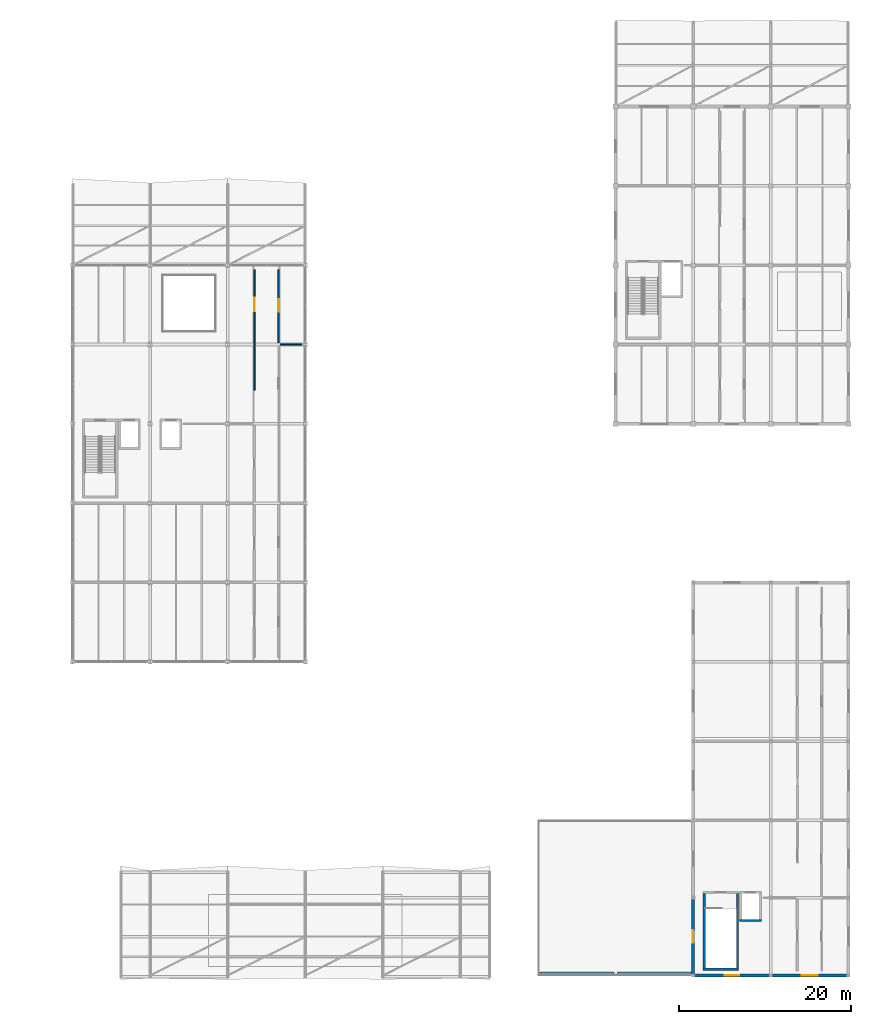
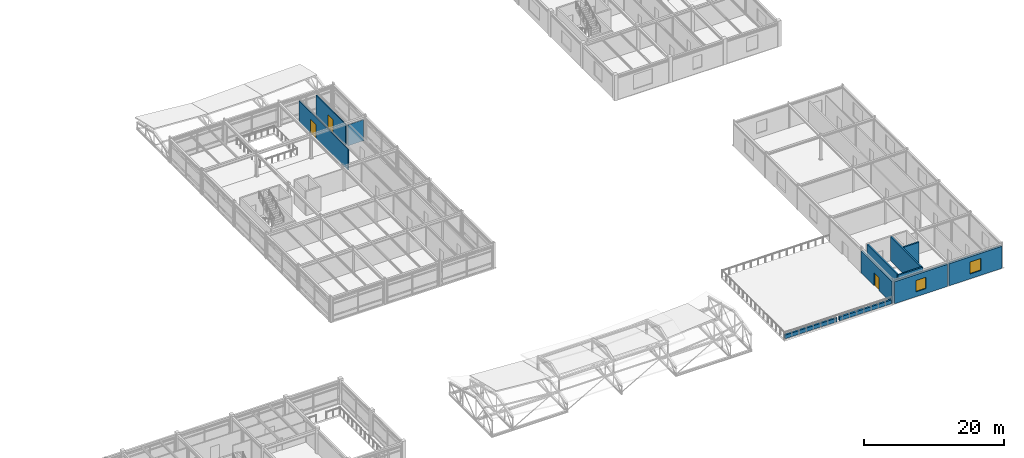
# One storey, part 43 of 55: 12 walls, 3 doors, 2 windows, 5 openings.
"""IFC4 building model written with IfcOpenShell, lengths in metres."""

from ifc_helpers import new_model, si_unit, direction, frame, frame_2d, origin, place, context, subcontext, project, spatial, rectangle, extrude, material, layer, layer_set, type_object, element, fill, save


model = new_model("IFC4")

# Units and contexts
model_context = context("Model", 3, precision=1e-05, world=origin(), true_north=direction((0.0, 1.0)))
body_context = subcontext(model_context, "Body", "Model", "MODEL_VIEW")
ifc_project = project(units=[si_unit("LENGTHUNIT", "METRE"), si_unit("AREAUNIT", "SQUARE_METRE"), si_unit("VOLUMEUNIT", "CUBIC_METRE"), si_unit("PLANEANGLEUNIT", "RADIAN"), si_unit("MASSUNIT", "GRAM", prefix="KILO")], contexts=[model_context])

# Site, building, storey
site_placement = place(None, origin())
site = spatial("IfcSite", under=ifc_project, at=site_placement, CompositionType="ELEMENT")
building_placement = place(site_placement, origin())
building = spatial("IfcBuilding", under=site, at=building_placement, Name="Bozkorgan Art Gallery", CompositionType="ELEMENT")
storey_placement = place(building_placement, frame((0.0, 0.0, 15.0)))
storey = spatial("IfcBuildingStorey", under=building, at=storey_placement, Name="L03", CompositionType="ELEMENT", Elevation=15.0)

# Walls
ifc_material_1 = material(Name="Concrete C40/50", Category="concrete")
ifc_layer_1 = layer(ifc_material_1, 0.25, Name="Concrete C40/50")
ifc_layer_set_1 = layer_set([ifc_layer_1], Name="Concrete C40/50")
wall_type_1 = type_object("IfcWallType", Name="IWALL-CW-51", PredefinedType="SHEAR", material=ifc_layer_set_1)
wall_1_placement = place(storey_placement, frame((147.14990234375, 2.72509765625, 0.0), z_axis=(0.0, 0.0, 1.0), x_axis=(1.0, 0.0, 0.0)))
element("IfcWall", 1, at=wall_1_placement, inside=storey, type_object=wall_type_1, Name="CORE4 L03 stair core S shear wall", PredefinedType="SHEAR", context=body_context, shape_type="SweptSolid", body=[
    extrude(rectangle(XDim=4.10009765625, YDim=0.25, at=frame_2d((2.050048828125, 0.0))), origin(), (0.0, 0.0, 1.0), 4.179931640625),
])
for number, where, z_axis, x_axis, name in (
    (2, (147.27490234375, 2.85009765625, 0.0), (0.0, 0.0, 1.0), (0.0, 1.0, 0.0), "CORE4 L03 stair core W shear wall"),
    (3, (151.125, 2.85009765625, 0.0), (0.0, 0.0, 1.0), (0.0, 1.0, 0.0), "CORE4 L03 stair core E shear wall"),
):
    element("IfcWall", number, at=place(storey_placement, frame(where, z_axis=z_axis, x_axis=x_axis)), inside=storey, type_object=wall_type_1, Name=name, PredefinedType="SHEAR", context=body_context, shape_type="SweptSolid", body=[
        extrude(rectangle(XDim=8.64990234375, YDim=0.25, at=frame_2d((4.324951171875, 0.0))), origin(), (0.0, 0.0, 1.0), 4.179931640625),
    ])
wall_2_placement = place(storey_placement, frame((151.39990234375, 8.375, 0.0), z_axis=(0.0, 0.0, 1.0), x_axis=(1.0, 0.0, 0.0)))
element("IfcWall", 4, at=wall_2_placement, inside=storey, type_object=wall_type_1, Name="PL4 L03 shaft S shear wall", PredefinedType="SHEAR", context=body_context, shape_type="SweptSolid", body=[
    extrude(rectangle(XDim=2.5, YDim=0.25, at=frame_2d((1.25, 0.0))), origin(), (0.0, 0.0, 1.0), 4.179931640625),
])

# Wall, opening, door
ifc_material_2 = material(Name="Acoustic Gypsum & Mineral Wool Partition")
ifc_layer_2 = layer(ifc_material_2, 0.169921875, Name="Acoustic Gypsum & Mineral Wool Partition")
ifc_layer_set_2 = layer_set([ifc_layer_2], Name="Acoustic Gypsum & Mineral Wool Partition")
wall_type_2 = type_object("IfcWallType", Name="IWALL-PR-40", PredefinedType="PARTITIONING", material=ifc_layer_set_2)
wall_3_placement = place(storey_placement, frame((97.89990234375, 75.419921875, 0.0), z_axis=(0.0, 0.0, 1.0), x_axis=(0.0, 1.0, 0.0)))
wall_3 = element("IfcWall", 5, at=wall_3_placement, inside=storey, type_object=wall_type_2, Name="V4 L03 acoustic partition wall 260", PredefinedType="PARTITIONING", context=body_context, shape_type="SweptSolid", body=[
    extrude(rectangle(XDim=8.440185546875, YDim=0.169921875, at=frame_2d((4.22021484375, 0.0))), origin(), (0.0, 0.0, 1.0), 3.675048828125),
])
opening_1_placement = place(wall_3_placement, frame((3.572265625, 0.0, 0.0)))
opening_1 = element("IfcOpeningElement", 6, at=opening_1_placement, cuts=wall_3, Name="Opening GD-47", PredefinedType="OPENING", context=body_context, shape_type="SweptSolid", body=[
    extrude(rectangle(XDim=1.4599609375, YDim=2.320068359375, at=frame_2d((0.72998046875, 1.16015625))), frame((0.0, 0.094970703125, 0.0), z_axis=(0.0, -1.0, 0.0), x_axis=(1.0, 0.0, 0.0)), (0.0, 0.0, 1.0), 0.18994140625),
])
ifc_material_3 = material(Name="Oiled European Oak Joinery")
door_type_1 = type_object("IfcDoorType", Name="IDOOR-GD-47", OperationType="NOTDEFINED", PredefinedType="DOOR", material=ifc_material_3)
door_1_placement = place(opening_1_placement, origin())
door_1 = element("IfcDoor", 7, at=door_1_placement, inside=storey, type_object=door_type_1, Name="Periodical Reading Hall Door", OperationType="DOUBLE_DOOR_SINGLE_SWING", OverallHeight=2.320068359375, OverallWidth=1.4599609375, PredefinedType="DOOR", context=body_context, shape_type="SweptSolid", body=[
    extrude(rectangle(XDim=1.4599609375, YDim=2.320068359375, at=frame_2d((0.72998046875, 1.16015625))), frame((0.0, 0.02490234375, 0.0), z_axis=(0.0, -1.0, 0.0), x_axis=(1.0, 0.0, 0.0)), (0.0, 0.0, 1.0), 0.050048828125),
])
fill(opening_1, door_1)

ifc_layer_3 = layer(ifc_material_2, 0.14990234375, Name="Acoustic Gypsum & Mineral Wool Partition")
ifc_layer_set_3 = layer_set([ifc_layer_3], Name="Acoustic Gypsum & Mineral Wool Partition")
wall_type_3 = type_object("IfcWallType", Name="IWALL-PR-55", PredefinedType="PARTITIONING", material=ifc_layer_set_3)
wall_4_placement = place(storey_placement, frame((95.10009765625, 69.89990234375, 0.0), z_axis=(0.0, 0.0, 1.0), x_axis=(0.0, 1.0, 0.0)))
wall_4 = element("IfcWall", 8, at=wall_4_placement, inside=storey, type_object=wall_type_3, Name="V4 L03 acoustic partition wall 253", PredefinedType="PARTITIONING", context=body_context, shape_type="SweptSolid", body=[
    extrude(rectangle(XDim=13.960205078125, YDim=0.14990234375, at=frame_2d((6.97998046875, 0.0))), origin(), (0.0, 0.0, 1.0), 3.675048828125),
])
opening_2_placement = place(wall_4_placement, frame((10.724853515625, 0.0, 0.0), z_axis=(0.0, 0.0, 1.0), x_axis=(-1.0, 0.0, 0.0)))
opening_2 = element("IfcOpeningElement", 9, at=opening_2_placement, cuts=wall_4, Name="Opening GD-25", PredefinedType="OPENING", context=body_context, shape_type="SweptSolid", body=[
    extrude(rectangle(XDim=1.580078125, YDim=2.3798828125, at=frame_2d((0.7900390625, 1.18994140625))), frame((0.0, 0.0849609375, 0.0), z_axis=(0.0, -1.0, 0.0), x_axis=(1.0, 0.0, 0.0)), (0.0, 0.0, 1.0), 0.169921875),
])
door_type_2 = type_object("IfcDoorType", Name="IDOOR-GD-25", OperationType="NOTDEFINED", PredefinedType="DOOR", material=ifc_material_3)
door_2_placement = place(opening_2_placement, origin())
door_2 = element("IfcDoor", 10, at=door_2_placement, inside=storey, type_object=door_type_2, Name="Symposium Seminar Hall Door", OperationType="DOUBLE_DOOR_SINGLE_SWING", OverallHeight=2.3798828125, OverallWidth=1.580078125, PredefinedType="DOOR", context=body_context, shape_type="SweptSolid", body=[
    extrude(rectangle(XDim=1.580078125, YDim=2.3798828125, at=frame_2d((0.7900390625, 1.18994140625))), frame((0.0, 0.02490234375, 0.0), z_axis=(0.0, -1.0, 0.0), x_axis=(1.0, 0.0, 0.0)), (0.0, 0.0, 1.0), 0.050048828125),
])
fill(opening_2, door_2)

# Walls
ifc_layer_4 = layer(ifc_material_2, 0.14990234375, Name="Acoustic Gypsum & Mineral Wool Partition")
ifc_layer_set_4 = layer_set([ifc_layer_4], Name="Acoustic Gypsum & Mineral Wool Partition")
wall_type_4 = type_object("IfcWallType", Name="IWALL-PW-17", PredefinedType="PARTITIONING", material=ifc_layer_set_4)
wall_5_placement = place(storey_placement, frame((98.10009765625, 75.199951171875, 0.0), z_axis=(0.0, 0.0, 1.0), x_axis=(1.0, 0.0, 0.0)))
element("IfcWall", 11, at=wall_5_placement, inside=storey, type_object=wall_type_4, Name="V4 L03 acoustic partition wall 259", PredefinedType="PARTITIONING", context=body_context, shape_type="SweptSolid", body=[
    extrude(rectangle(XDim=2.5, YDim=0.14990234375, at=frame_2d((1.25, 0.0))), origin(), (0.0, 0.0, 1.0), 3.675048828125),
])
ifc_material_4 = material(Name="Kordai Rose Granite Ashlar", Category="masonry")
ifc_layer_5 = layer(ifc_material_4, 0.280029296875, Name="Kordai Rose Granite Ashlar")
ifc_layer_set_5 = layer_set([ifc_layer_5], Name="Kordai Rose Granite Ashlar")
wall_type_5 = type_object("IfcWallType", Name="WALL-PR-43", PredefinedType="PARAPET", material=ifc_layer_set_5)
wall_6_placement = place(storey_placement, frame((128.199951171875, 2.25, 0.0), z_axis=(0.0, 0.0, 1.0), x_axis=(1.0, 0.0, 0.0)))
element("IfcWall", 12, at=wall_6_placement, inside=storey, type_object=wall_type_5, Name="L03 coped stone parapet 5", PredefinedType="PARAPET", context=body_context, shape_type="SweptSolid", body=[
    extrude(rectangle(XDim=8.60009765625, YDim=0.280029296875, at=frame_2d((4.300048828125, 0.0))), origin(), (0.0, 0.0, 1.0), 0.64990234375),
])
ifc_material_5 = material(Name="Pressed Terracotta Brick Masonry", Category="masonry")
ifc_layer_6 = layer(ifc_material_5, 0.31005859375, Name="Pressed Terracotta Brick Masonry")
ifc_layer_set_6 = layer_set([ifc_layer_6], Name="Pressed Terracotta Brick Masonry")
wall_type_6 = type_object("IfcWallType", Name="WALL-PR-47", PredefinedType="PARAPET", material=ifc_layer_set_6)
wall_7_placement = place(storey_placement, frame((137.199951171875, 2.25, 0.0), z_axis=(0.0, 0.0, 1.0), x_axis=(1.0, 0.0, 0.0)))
element("IfcWall", 13, at=wall_7_placement, inside=storey, type_object=wall_type_6, Name="L03 coped stone parapet 6", PredefinedType="PARAPET", context=body_context, shape_type="SweptSolid", body=[
    extrude(rectangle(XDim=8.60009765625, YDim=0.31005859375, at=frame_2d((4.300048828125, 0.0))), origin(), (0.0, 0.0, 1.0), 0.64990234375),
])

# Wall, opening, window
ifc_layer_7 = layer(ifc_material_5, 0.340087890625, Name="Pressed Terracotta Brick Masonry")
ifc_layer_set_7 = layer_set([ifc_layer_7], Name="Pressed Terracotta Brick Masonry")
wall_type_7 = type_object("IfcWallType", Name="WALL-WB-71", PredefinedType="STANDARD", material=ifc_layer_set_7)
wall_8_placement = place(storey_placement, frame((146.1201171875, 2.0, 0.0), z_axis=(0.0, 0.0, 1.0), x_axis=(1.0, 0.0, 0.0)))
wall_8 = element("IfcWall", 14, at=wall_8_placement, inside=storey, type_object=wall_type_7, Name="V6 L03 exterior facade wall 1S-1", PredefinedType="STANDARD", context=body_context, shape_type="SweptSolid", body=[
    extrude(rectangle(XDim=8.759765625, YDim=0.340087890625, at=frame_2d((4.3798828125, 0.0))), origin(), (0.0, 0.0, 1.0), 3.85498046875),
])
opening_3_placement = place(wall_8_placement, frame((5.204833984375, 0.0, 0.85009765625), z_axis=(0.0, 0.0, 1.0), x_axis=(-1.0, 0.0, 0.0)))
opening_3 = element("IfcOpeningElement", 15, at=opening_3_placement, cuts=wall_8, Name="Opening WN-36", PredefinedType="OPENING", context=body_context, shape_type="SweptSolid", body=[
    extrude(rectangle(XDim=1.64990234375, YDim=2.0, at=frame_2d((0.824951171875, 1.0))), frame((0.0, 0.18017578125, 0.0), z_axis=(0.0, -1.0, 0.0), x_axis=(1.0, 0.0, 0.0)), (0.0, 0.0, 1.0), 0.360107421875),
])
ifc_material_6 = material(Name="Triple Low-E Laminated Glass", Category="glass")
window_type_1 = type_object("IfcWindowType", Name="WIN-WN-36", PartitioningType="SINGLE_PANEL", PredefinedType="WINDOW", material=ifc_material_6)
window_1_placement = place(opening_3_placement, origin())
window_1 = element("IfcWindow", 16, at=window_1_placement, inside=storey, type_object=window_type_1, Name="V6 L03 gallery window 1S-1", OverallHeight=2.0, OverallWidth=1.64990234375, PartitioningType="SINGLE_PANEL", PredefinedType="WINDOW", context=body_context, shape_type="SweptSolid", body=[
    extrude(rectangle(XDim=1.64990234375, YDim=2.0, at=frame_2d((0.824951171875, 1.0))), frame((0.0, 0.030029296875, 0.0), z_axis=(0.0, -1.0, 0.0), x_axis=(1.0, 0.0, 0.0)), (0.0, 0.0, 1.0), 0.06005859375),
])
fill(opening_3, window_1)

wall_9_placement = place(storey_placement, frame((155.1201171875, 2.0, 0.0), z_axis=(0.0, 0.0, 1.0), x_axis=(1.0, 0.0, 0.0)))
wall_9 = element("IfcWall", 17, at=wall_9_placement, inside=storey, type_object=wall_type_7, Name="V6 L03 exterior facade wall 1S-3", PredefinedType="STANDARD", context=body_context, shape_type="SweptSolid", body=[
    extrude(rectangle(XDim=8.759765625, YDim=0.340087890625, at=frame_2d((4.3798828125, 0.0))), origin(), (0.0, 0.0, 1.0), 3.85498046875),
])
opening_4_placement = place(wall_9_placement, frame((5.30517578125, 0.0, 0.85009765625), z_axis=(0.0, 0.0, 1.0), x_axis=(-1.0, 0.0, 0.0)))
opening_4 = element("IfcOpeningElement", 18, at=opening_4_placement, cuts=wall_9, Name="Opening WN-04", PredefinedType="OPENING", context=body_context, shape_type="SweptSolid", body=[
    extrude(rectangle(XDim=1.85009765625, YDim=2.10009765625, at=frame_2d((0.925048828125, 1.050048828125))), frame((0.0, 0.18017578125, 0.0), z_axis=(0.0, -1.0, 0.0), x_axis=(1.0, 0.0, 0.0)), (0.0, 0.0, 1.0), 0.360107421875),
])
window_type_2 = type_object("IfcWindowType", Name="WIN-WN-04", PartitioningType="SINGLE_PANEL", PredefinedType="WINDOW", material=ifc_material_6)
window_2_placement = place(opening_4_placement, origin())
window_2 = element("IfcWindow", 19, at=window_2_placement, inside=storey, type_object=window_type_2, Name="V6 L03 gallery window 1S-3", OverallHeight=2.10009765625, OverallWidth=1.85009765625, PartitioningType="SINGLE_PANEL", PredefinedType="WINDOW", context=body_context, shape_type="SweptSolid", body=[
    extrude(rectangle(XDim=1.85009765625, YDim=2.10009765625, at=frame_2d((0.925048828125, 1.050048828125))), frame((0.0, 0.030029296875, 0.0), z_axis=(0.0, -1.0, 0.0), x_axis=(1.0, 0.0, 0.0)), (0.0, 0.0, 1.0), 0.06005859375),
])
fill(opening_4, window_2)

# Wall, opening, door
wall_10_placement = place(storey_placement, frame((146.0, 2.1201171875, 0.0), z_axis=(0.0, 0.0, 1.0), x_axis=(0.0, 1.0, 0.0)))
wall_10 = element("IfcWall", 20, at=wall_10_placement, inside=storey, type_object=wall_type_7, Name="V6 L03 terrace access wall (TD05)", PredefinedType="STANDARD", context=body_context, shape_type="SweptSolid", body=[
    extrude(rectangle(XDim=8.759765625, YDim=0.340087890625, at=frame_2d((4.3798828125, 0.0))), origin(), (0.0, 0.0, 1.0), 3.85498046875),
])
opening_5_placement = place(wall_10_placement, frame((3.655029296875, 0.0, 0.0)))
opening_5 = element("IfcOpeningElement", 21, at=opening_5_placement, cuts=wall_10, Name="Opening TD-07", PredefinedType="OPENING", context=body_context, shape_type="SweptSolid", body=[
    extrude(rectangle(XDim=1.449951171875, YDim=2.25, at=frame_2d((0.72509765625, 1.125))), frame((0.0, 0.18017578125, 0.0), z_axis=(0.0, -1.0, 0.0), x_axis=(1.0, 0.0, 0.0)), (0.0, 0.0, 1.0), 0.360107421875),
])
ifc_material_7 = material(Name="Anodised Bronze Aluminium", Category="aluminium")
door_type_3 = type_object("IfcDoorType", Name="DOOR-TD-07", OperationType="NOTDEFINED", PredefinedType="DOOR", material=ifc_material_7)
door_3_placement = place(opening_5_placement, origin())
door_3 = element("IfcDoor", 22, at=door_3_placement, inside=storey, type_object=door_type_3, Name="TD05 Sculpture Terrace Access Door", OperationType="DOUBLE_DOOR_SINGLE_SWING", OverallHeight=2.25, OverallWidth=1.449951171875, PredefinedType="DOOR", context=body_context, shape_type="SweptSolid", body=[
    extrude(rectangle(XDim=1.449951171875, YDim=2.25, at=frame_2d((0.72509765625, 1.125))), frame((0.0, 0.02490234375, 0.0), z_axis=(0.0, -1.0, 0.0), x_axis=(1.0, 0.0, 0.0)), (0.0, 0.0, 1.0), 0.050048828125),
])
fill(opening_5, door_3)

save(model, "model.ifc")
